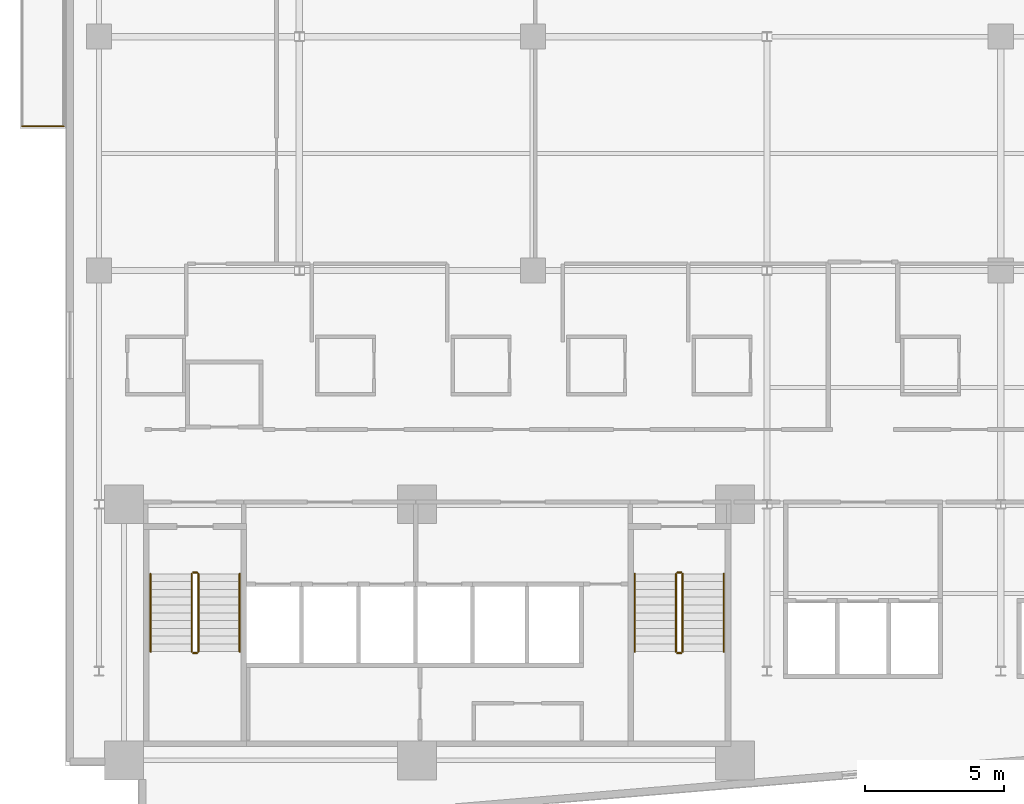
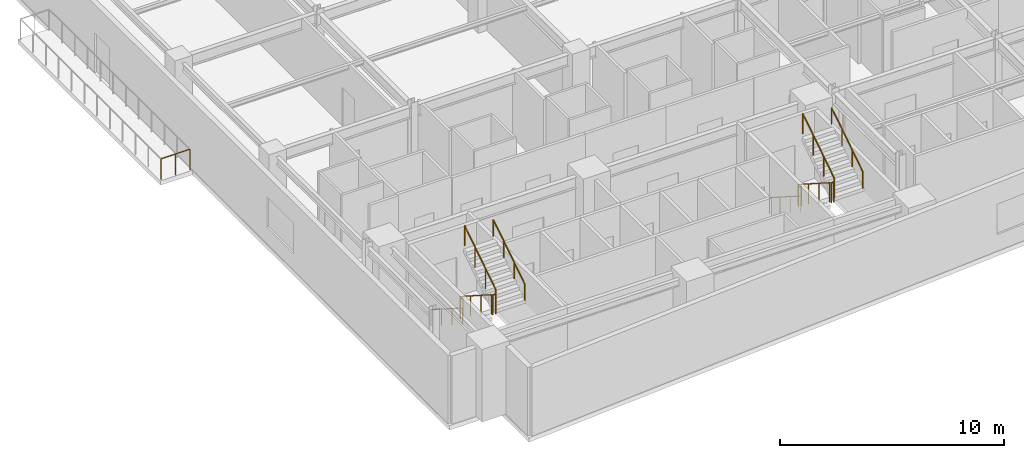
# One storey, part 17 of 21: 13 railings.
"""IFC4 building model written with IfcOpenShell, lengths in metres."""

from ifc_helpers import new_model, si_unit, direction, frame, origin, origin_2d, place, context, subcontext, project, spatial, circle, extrude, material, type_object, element, save


model = new_model("IFC4")

# Units and contexts
model_context = context("Model", 3, precision=1e-05, world=origin(), true_north=direction((0.0, 1.0)))
body_context = subcontext(model_context, "Body", "Model", "MODEL_VIEW")
ifc_project = project(units=[si_unit("LENGTHUNIT", "METRE"), si_unit("AREAUNIT", "SQUARE_METRE"), si_unit("VOLUMEUNIT", "CUBIC_METRE"), si_unit("PLANEANGLEUNIT", "RADIAN"), si_unit("MASSUNIT", "GRAM", prefix="KILO")], contexts=[model_context])

# Site, building, storey
site_placement = place(None, origin())
site = spatial("IfcSite", under=ifc_project, at=site_placement, CompositionType="ELEMENT")
building_placement = place(site_placement, origin())
building = spatial("IfcBuilding", under=site, at=building_placement, Name="Varnakote Quay Hospital", CompositionType="ELEMENT")
storey_placement = place(building_placement, frame((0.0, 0.0, 38.300048828125)))
storey = spatial("IfcBuildingStorey", under=building, at=storey_placement, Name="L09", CompositionType="ELEMENT", Elevation=38.300048828125)

# Railings
ifc_material_1 = material(Name="Anodised aluminium 6063-T6 Bronze", Category="aluminium")
railing_type_1 = type_object("IfcRailingType", Name="RLG-EXT-GUARD-1150", PredefinedType="GUARDRAIL", material=ifc_material_1)
railing_1_placement = place(storey_placement, frame((-0.075927734375, 25.580078125, 0.0)))
element("IfcRailing", 1, at=railing_1_placement, inside=storey, type_object=railing_type_1, Name="L09 Zigzag Prow Healing Terrace Safety Guard", PredefinedType="GUARDRAIL", context=body_context, shape_type="SweptSolid", body=[
    extrude(circle(Radius=0.02392578125, at=origin_2d()), frame((0.0, 0.0, 1.1259765625), z_axis=(-1.0, 0.0, 0.0), x_axis=(0.0, -1.0, 0.0)), (0.0, 0.0, 1.0), 1.484130859375),
    extrude(circle(Radius=0.02099609375, at=origin_2d()), origin(), (0.0, 0.0, 1.0), 1.101806640625),
    extrude(circle(Radius=0.02099609375, at=origin_2d()), frame((-0.7421875, 0.0, 0.0)), (0.0, 0.0, 1.0), 1.101806640625),
    extrude(circle(Radius=0.02099609375, at=origin_2d()), frame((-1.484130859375, 0.0, 0.0)), (0.0, 0.0, 1.0), 1.101806640625),
])
ifc_material_2 = material(Name="Brushed stainless steel balustrade", Category="steel")
railing_type_2 = type_object("IfcRailingType", Name="RLG-STAIR-GUARD-1150", PredefinedType="GUARDRAIL", material=ifc_material_2)
railing_2_placement = place(storey_placement, frame((4.530029296875, 9.5, 0.179443359375)))
element("IfcRailing", 2, at=railing_2_placement, inside=storey, type_object=railing_type_2, Name="L09 ST-01 stair guard 1", PredefinedType="GUARDRAIL", context=body_context, shape_type="SweptSolid", body=[
    extrude(circle(Radius=0.02392578125, at=origin_2d()), frame((0.0, 0.0, 1.076171875), z_axis=(0.0, -0.841809871826, 0.539774156196), x_axis=(1.0, 0.0, 0.0)), (0.0, 0.0, 1.0), 3.326171875),
    extrude(circle(Radius=0.02099609375, at=origin_2d()), origin(), (0.0, 0.0, 1.0), 1.052001953125),
    extrude(circle(Radius=0.02099609375, at=origin_2d()), frame((0.0, -0.933349609375, 0.598388671875)), (0.0, 0.0, 1.0), 1.052001953125),
    extrude(circle(Radius=0.02099609375, at=origin_2d()), frame((0.0, -1.86669921875, 1.197021484375)), (0.0, 0.0, 1.0), 1.052001953125),
    extrude(circle(Radius=0.02099609375, at=origin_2d()), frame((0.0, -2.800048828125, 1.79541015625)), (0.0, 0.0, 1.0), 1.052001953125),
])
railing_3_placement = place(storey_placement, frame((4.580078125, 6.64990234375, 1.974853515625)))
element("IfcRailing", 3, at=railing_3_placement, inside=storey, type_object=railing_type_2, Name="L09 ST-01 stair guard 2", PredefinedType="GUARDRAIL", context=body_context, shape_type="SweptSolid", body=[
    extrude(circle(Radius=0.02392578125, at=origin_2d()), frame((0.0, 0.0, 1.076171875), z_axis=(1.0, 0.0, 0.0), x_axis=(0.0, 1.0, 0.0)), (0.0, 0.0, 1.0), 0.139892578125),
    extrude(circle(Radius=0.02099609375, at=origin_2d()), origin(), (0.0, 0.0, 1.0), 1.052001953125),
    extrude(circle(Radius=0.02099609375, at=origin_2d()), frame((0.139892578125, 0.0, 0.0)), (0.0, 0.0, 1.0), 1.052001953125),
])
railing_4_placement = place(storey_placement, frame((4.77001953125, 6.699951171875, 2.154541015625)))
element("IfcRailing", 4, at=railing_4_placement, inside=storey, type_object=railing_type_2, Name="L09 ST-01 stair guard 3", PredefinedType="GUARDRAIL", context=body_context, shape_type="SweptSolid", body=[
    extrude(circle(Radius=0.02392578125, at=origin_2d()), frame((0.0, 0.0, 1.076171875), z_axis=(0.0, 0.841809871826, 0.539774156196), x_axis=(-1.0, 0.0, 0.0)), (0.0, 0.0, 1.0), 3.326171875),
    extrude(circle(Radius=0.02099609375, at=origin_2d()), origin(), (0.0, 0.0, 1.0), 1.052001953125),
    extrude(circle(Radius=0.02099609375, at=origin_2d()), frame((0.0, 0.933349609375, 0.598388671875)), (0.0, 0.0, 1.0), 1.052001953125),
    extrude(circle(Radius=0.02099609375, at=origin_2d()), frame((0.0, 1.86669921875, 1.197021484375)), (0.0, 0.0, 1.0), 1.052001953125),
    extrude(circle(Radius=0.02099609375, at=origin_2d()), frame((0.0, 2.800048828125, 1.79541015625)), (0.0, 0.0, 1.0), 1.052001953125),
])
railing_5_placement = place(storey_placement, frame((4.580078125, 9.550048828125, 0.0)))
element("IfcRailing", 5, at=railing_5_placement, inside=storey, type_object=railing_type_2, Name="L09 ST-01 stair guard 4", PredefinedType="GUARDRAIL", context=body_context, shape_type="SweptSolid", body=[
    extrude(circle(Radius=0.02392578125, at=origin_2d()), frame((0.0, 0.0, 1.076171875), z_axis=(1.0, 0.0, 0.0), x_axis=(0.0, 1.0, 0.0)), (0.0, 0.0, 1.0), 0.139892578125),
    extrude(circle(Radius=0.02099609375, at=origin_2d()), origin(), (0.0, 0.0, 1.0), 1.052001953125),
    extrude(circle(Radius=0.02099609375, at=origin_2d()), frame((0.139892578125, 0.0, 0.0)), (0.0, 0.0, 1.0), 1.052001953125),
])
railing_6_placement = place(storey_placement, frame((21.929931640625, 9.5, 0.179443359375)))
element("IfcRailing", 6, at=railing_6_placement, inside=storey, type_object=railing_type_2, Name="L09 ST-02 stair guard 1", PredefinedType="GUARDRAIL", context=body_context, shape_type="SweptSolid", body=[
    extrude(circle(Radius=0.02392578125, at=origin_2d()), frame((0.0, 0.0, 1.076171875), z_axis=(0.0, -0.841809871826, 0.539774156196), x_axis=(1.0, 0.0, 0.0)), (0.0, 0.0, 1.0), 3.326171875),
    extrude(circle(Radius=0.02099609375, at=origin_2d()), origin(), (0.0, 0.0, 1.0), 1.052001953125),
    extrude(circle(Radius=0.02099609375, at=origin_2d()), frame((0.0, -0.933349609375, 0.598388671875)), (0.0, 0.0, 1.0), 1.052001953125),
    extrude(circle(Radius=0.02099609375, at=origin_2d()), frame((0.0, -1.86669921875, 1.197021484375)), (0.0, 0.0, 1.0), 1.052001953125),
    extrude(circle(Radius=0.02099609375, at=origin_2d()), frame((0.0, -2.800048828125, 1.79541015625)), (0.0, 0.0, 1.0), 1.052001953125),
])
railing_7_placement = place(storey_placement, frame((21.97998046875, 6.64990234375, 1.974853515625)))
element("IfcRailing", 7, at=railing_7_placement, inside=storey, type_object=railing_type_2, Name="L09 ST-02 stair guard 2", PredefinedType="GUARDRAIL", context=body_context, shape_type="SweptSolid", body=[
    extrude(circle(Radius=0.02392578125, at=origin_2d()), frame((0.0, 0.0, 1.076171875), z_axis=(1.0, 0.0, 0.0), x_axis=(0.0, 1.0, 0.0)), (0.0, 0.0, 1.0), 0.14013671875),
    extrude(circle(Radius=0.02099609375, at=origin_2d()), origin(), (0.0, 0.0, 1.0), 1.052001953125),
    extrude(circle(Radius=0.02099609375, at=origin_2d()), frame((0.14013671875, 0.0, 0.0)), (0.0, 0.0, 1.0), 1.052001953125),
])
railing_8_placement = place(storey_placement, frame((22.169921875, 6.699951171875, 2.154541015625)))
element("IfcRailing", 8, at=railing_8_placement, inside=storey, type_object=railing_type_2, Name="L09 ST-02 stair guard 3", PredefinedType="GUARDRAIL", context=body_context, shape_type="SweptSolid", body=[
    extrude(circle(Radius=0.02392578125, at=origin_2d()), frame((0.0, 0.0, 1.076171875), z_axis=(0.0, 0.841809871826, 0.539774156196), x_axis=(-1.0, 0.0, 0.0)), (0.0, 0.0, 1.0), 3.326171875),
    extrude(circle(Radius=0.02099609375, at=origin_2d()), origin(), (0.0, 0.0, 1.0), 1.052001953125),
    extrude(circle(Radius=0.02099609375, at=origin_2d()), frame((0.0, 0.933349609375, 0.598388671875)), (0.0, 0.0, 1.0), 1.052001953125),
    extrude(circle(Radius=0.02099609375, at=origin_2d()), frame((0.0, 1.86669921875, 1.197021484375)), (0.0, 0.0, 1.0), 1.052001953125),
    extrude(circle(Radius=0.02099609375, at=origin_2d()), frame((0.0, 2.800048828125, 1.79541015625)), (0.0, 0.0, 1.0), 1.052001953125),
])
railing_9_placement = place(storey_placement, frame((21.97998046875, 9.550048828125, 0.0)))
element("IfcRailing", 9, at=railing_9_placement, inside=storey, type_object=railing_type_2, Name="L09 ST-02 stair guard 4", PredefinedType="GUARDRAIL", context=body_context, shape_type="SweptSolid", body=[
    extrude(circle(Radius=0.02392578125, at=origin_2d()), frame((0.0, 0.0, 1.076171875), z_axis=(1.0, 0.0, 0.0), x_axis=(0.0, 1.0, 0.0)), (0.0, 0.0, 1.0), 0.14013671875),
    extrude(circle(Radius=0.02099609375, at=origin_2d()), origin(), (0.0, 0.0, 1.0), 1.052001953125),
    extrude(circle(Radius=0.02099609375, at=origin_2d()), frame((0.14013671875, 0.0, 0.0)), (0.0, 0.0, 1.0), 1.052001953125),
])
ifc_material_3 = material(Name="Brushed stainless steel handrail", Category="steel")
railing_type_3 = type_object("IfcRailingType", Name="RLG-STAIR-HND-920", PredefinedType="HANDRAIL", material=ifc_material_3)
railing_10_placement = place(storey_placement, frame((3.050048828125, 9.5, 0.179443359375)))
element("IfcRailing", 10, at=railing_10_placement, inside=storey, type_object=railing_type_3, Name="L09 ST-01 stair handrail 1", PredefinedType="HANDRAIL", context=body_context, shape_type="SweptSolid", body=[
    extrude(circle(Radius=0.02392578125, at=origin_2d()), frame((0.0, 0.0, 0.8759765625), z_axis=(0.0, -0.841809871826, 0.539774156196), x_axis=(1.0, 0.0, 0.0)), (0.0, 0.0, 1.0), 3.326171875),
    extrude(circle(Radius=0.02099609375, at=origin_2d()), origin(), (0.0, 0.0, 1.0), 0.851806640625),
    extrude(circle(Radius=0.02099609375, at=origin_2d()), frame((0.0, -0.933349609375, 0.598388671875)), (0.0, 0.0, 1.0), 0.851806640625),
    extrude(circle(Radius=0.02099609375, at=origin_2d()), frame((0.0, -1.86669921875, 1.197021484375)), (0.0, 0.0, 1.0), 0.851806640625),
    extrude(circle(Radius=0.02099609375, at=origin_2d()), frame((0.0, -2.800048828125, 1.79541015625)), (0.0, 0.0, 1.0), 0.851806640625),
])
railing_11_placement = place(storey_placement, frame((6.25, 6.699951171875, 2.154541015625)))
element("IfcRailing", 11, at=railing_11_placement, inside=storey, type_object=railing_type_3, Name="L09 ST-01 stair handrail 2", PredefinedType="HANDRAIL", context=body_context, shape_type="SweptSolid", body=[
    extrude(circle(Radius=0.02392578125, at=origin_2d()), frame((0.0, 0.0, 0.8759765625), z_axis=(0.0, 0.841809871826, 0.539774156196), x_axis=(-1.0, 0.0, 0.0)), (0.0, 0.0, 1.0), 3.326171875),
    extrude(circle(Radius=0.02099609375, at=origin_2d()), origin(), (0.0, 0.0, 1.0), 0.851806640625),
    extrude(circle(Radius=0.02099609375, at=origin_2d()), frame((0.0, 0.933349609375, 0.598388671875)), (0.0, 0.0, 1.0), 0.851806640625),
    extrude(circle(Radius=0.02099609375, at=origin_2d()), frame((0.0, 1.86669921875, 1.197021484375)), (0.0, 0.0, 1.0), 0.851806640625),
    extrude(circle(Radius=0.02099609375, at=origin_2d()), frame((0.0, 2.800048828125, 1.79541015625)), (0.0, 0.0, 1.0), 0.851806640625),
])
railing_12_placement = place(storey_placement, frame((20.449951171875, 9.5, 0.179443359375)))
element("IfcRailing", 12, at=railing_12_placement, inside=storey, type_object=railing_type_3, Name="L09 ST-02 stair handrail 1", PredefinedType="HANDRAIL", context=body_context, shape_type="SweptSolid", body=[
    extrude(circle(Radius=0.02392578125, at=origin_2d()), frame((0.0, 0.0, 0.8759765625), z_axis=(0.0, -0.841809871826, 0.539774156196), x_axis=(1.0, 0.0, 0.0)), (0.0, 0.0, 1.0), 3.326171875),
    extrude(circle(Radius=0.02099609375, at=origin_2d()), origin(), (0.0, 0.0, 1.0), 0.851806640625),
    extrude(circle(Radius=0.02099609375, at=origin_2d()), frame((0.0, -0.933349609375, 0.598388671875)), (0.0, 0.0, 1.0), 0.851806640625),
    extrude(circle(Radius=0.02099609375, at=origin_2d()), frame((0.0, -1.86669921875, 1.197021484375)), (0.0, 0.0, 1.0), 0.851806640625),
    extrude(circle(Radius=0.02099609375, at=origin_2d()), frame((0.0, -2.800048828125, 1.79541015625)), (0.0, 0.0, 1.0), 0.851806640625),
])
railing_13_placement = place(storey_placement, frame((23.64990234375, 6.699951171875, 2.154541015625)))
element("IfcRailing", 13, at=railing_13_placement, inside=storey, type_object=railing_type_3, Name="L09 ST-02 stair handrail 2", PredefinedType="HANDRAIL", context=body_context, shape_type="SweptSolid", body=[
    extrude(circle(Radius=0.02392578125, at=origin_2d()), frame((0.0, 0.0, 0.8759765625), z_axis=(0.0, 0.841809871826, 0.539774156196), x_axis=(-1.0, 0.0, 0.0)), (0.0, 0.0, 1.0), 3.326171875),
    extrude(circle(Radius=0.02099609375, at=origin_2d()), origin(), (0.0, 0.0, 1.0), 0.851806640625),
    extrude(circle(Radius=0.02099609375, at=origin_2d()), frame((0.0, 0.933349609375, 0.598388671875)), (0.0, 0.0, 1.0), 0.851806640625),
    extrude(circle(Radius=0.02099609375, at=origin_2d()), frame((0.0, 1.86669921875, 1.197021484375)), (0.0, 0.0, 1.0), 0.851806640625),
    extrude(circle(Radius=0.02099609375, at=origin_2d()), frame((0.0, 2.800048828125, 1.79541015625)), (0.0, 0.0, 1.0), 0.851806640625),
])

save(model, "model.ifc")
